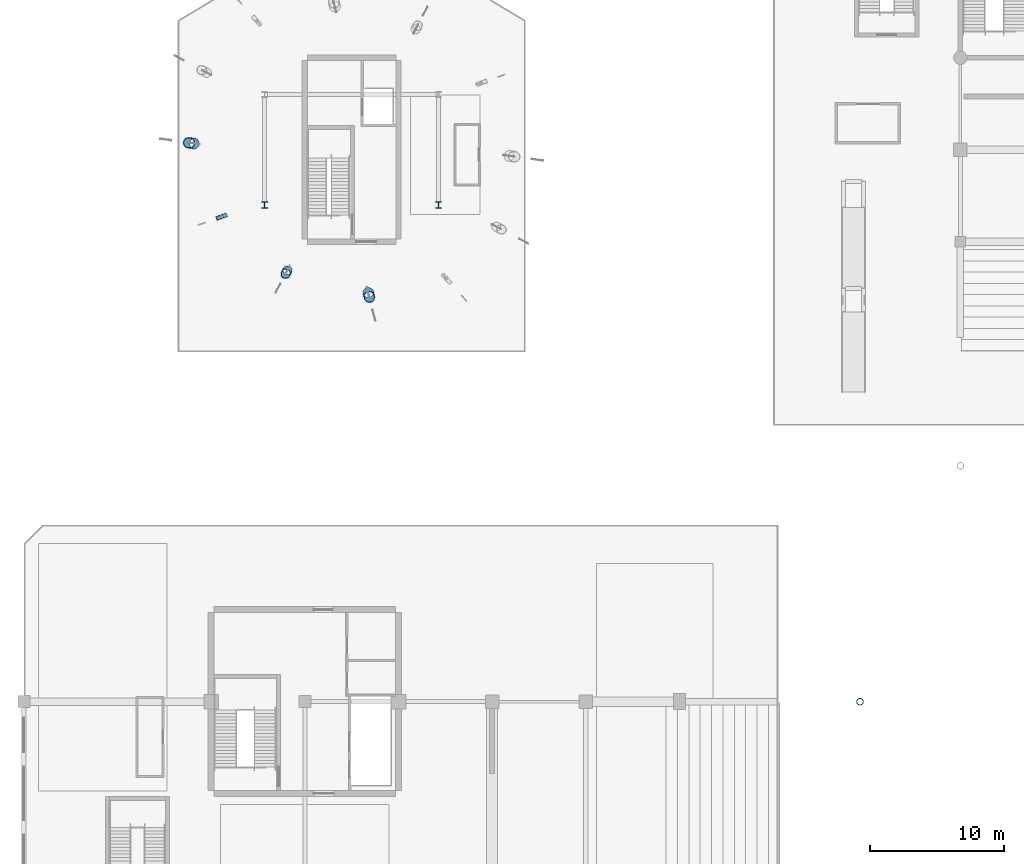
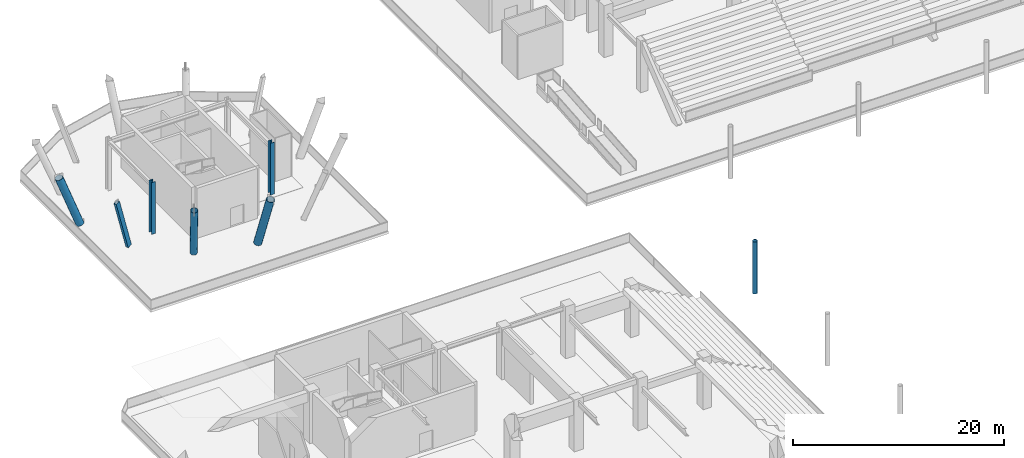
# One storey, part 16 of 73: 7 columns.
"""IFC4 building model written with IfcOpenShell, lengths in metres."""

from ifc_helpers import new_model, si_unit, direction, frame, origin, origin_2d, place, context, subcontext, project, spatial, hollow_rectangle, hollow_circle, i_section, extrude, material, material_profile, profile_set, type_object, element, save


model = new_model("IFC4")

# Units and contexts
model_context = context("Model", 3, precision=1e-05, world=origin(), true_north=direction((0.0, 1.0)))
body_context = subcontext(model_context, "Body", "Model", "MODEL_VIEW")
ifc_project = project(units=[si_unit("LENGTHUNIT", "METRE"), si_unit("AREAUNIT", "SQUARE_METRE"), si_unit("VOLUMEUNIT", "CUBIC_METRE"), si_unit("PLANEANGLEUNIT", "RADIAN"), si_unit("MASSUNIT", "GRAM", prefix="KILO")], contexts=[model_context])

# Site, building, storey
site_placement = place(None, origin())
site = spatial("IfcSite", under=ifc_project, at=site_placement, CompositionType="ELEMENT")
building_placement = place(site_placement, origin())
building = spatial("IfcBuilding", under=site, at=building_placement, Name="Linyun Crest Stadium", CompositionType="ELEMENT")
storey_placement = place(building_placement, origin())
storey = spatial("IfcBuildingStorey", under=building, at=storey_placement, Name="L01", CompositionType="ELEMENT", Elevation=0.0)

# Columns
ifc_material_1 = material(Name="Steel Q420C", Category="steel")
ifc_material_profile_1 = material_profile(ifc_material_1, i_section(OverallWidth=0.431884765625, OverallDepth=0.498046875, WebThickness=0.02392578125, FlangeThickness=0.0380859375, at=origin_2d()), Name="HW 498x432")
ifc_profile_set_1 = profile_set([ifc_material_profile_1], Name="Steel Q420C")
column_type_1 = type_object("IfcColumnType", Name="SC04", PredefinedType="COLUMN", material=ifc_profile_set_1)
for number, where, z_axis, x_axis, name in (
    (1, (-80.0, 80.5, 0.0), (0.0, 0.0, 1.0), (1.0, 0.0, 0.0), "Column SC04 L01 795"),
    (2, (-67.0, 80.5, 0.0), (0.0, 0.0, 1.0), (1.0, 0.0, 0.0), "Column SC04 L01 802"),
):
    element("IfcColumn", number, at=place(storey_placement, frame(where, z_axis=z_axis, x_axis=x_axis)), inside=storey, type_object=column_type_1, Name=name, PredefinedType="COLUMN", context=body_context, shape_type="SweptSolid", body=[
        extrude(i_section(OverallWidth=0.431884765625, OverallDepth=0.498046875, WebThickness=0.02392578125, FlangeThickness=0.0380859375, at=origin_2d()), origin(), (0.0, 0.0, 1.0), 5.998046875),
    ])
ifc_material_2 = material(Name="Steel Q355C", Category="steel")
ifc_material_profile_2 = material_profile(ifc_material_2, hollow_circle(Radius=0.25390625, WallThickness=0.02490234375, at=origin_2d()), Name="CHS 508x25")
ifc_profile_set_2 = profile_set([ifc_material_profile_2], Name="Steel Q355C")
column_type_2 = type_object("IfcColumnType", Name="SC05", PredefinedType="COLUMN", material=ifc_profile_set_2)
column_1_placement = place(storey_placement, frame((-35.5, 43.375, 0.0), z_axis=(0.0, 0.0, 1.0), x_axis=(1.0, 0.0, 0.0)))
element("IfcColumn", 3, at=column_1_placement, inside=storey, type_object=column_type_2, Name="Arch colonnade column SC05 L01 16", PredefinedType="COLUMN", context=body_context, shape_type="SweptSolid", body=[
    extrude(hollow_circle(Radius=0.25390625, WallThickness=0.02490234375, at=origin_2d()), origin(), (0.0, 0.0, 1.0), 6.0),
])
ifc_material_3 = material(Name="Steel Q420C", Category="steel")
ifc_material_profile_3 = material_profile(ifc_material_3, hollow_circle(Radius=0.35546875, WallThickness=0.031982421875, at=origin_2d()), Name="CHS 711x32")
ifc_profile_set_3 = profile_set([ifc_material_profile_3], Name="Steel Q420C")
column_type_3 = type_object("IfcColumnType", Name="VL01", PredefinedType="PILASTER", material=ifc_profile_set_3)
column_2_placement = place(storey_placement, frame((-78.300048828125, 75.59912109375, 0.092041015625), z_axis=(-0.114602751846, -0.215777059527, 0.969694008361), x_axis=(0.883164571949, -0.469063256772, 0.0)))
element("IfcColumn", 4, at=column_2_placement, inside=storey, type_object=column_type_3, Name="Inclined V-leg pier VL01 28", PredefinedType="PILASTER", context=body_context, shape_type="SweptSolid", body=[
    extrude(hollow_circle(Radius=0.35546875, WallThickness=0.031982421875, at=origin_2d()), origin(), (0.0, 0.0, 1.0), 6.090576171875),
])
ifc_material_4 = material(Name="Steel Q420C", Category="steel")
ifc_material_profile_4 = material_profile(ifc_material_4, hollow_circle(Radius=0.406494140625, WallThickness=0.035888671875, at=origin_2d()), Name="CHS 813x36")
ifc_profile_set_4 = profile_set([ifc_material_profile_4], Name="Steel Q420C")
column_type_4 = type_object("IfcColumnType", Name="VL02", PredefinedType="PILASTER", material=ifc_profile_set_4)
column_3_placement = place(storey_placement, frame((-85.27587890625, 85.089111328125, 0.14501953125), z_axis=(-0.340330917323, 0.047163722889, 0.939122169878), x_axis=(-0.137270087643, -0.990533655682, 0.0)))
element("IfcColumn", 5, at=column_3_placement, inside=storey, type_object=column_type_4, Name="Inclined V-leg pier VL02 22", PredefinedType="PILASTER", context=body_context, shape_type="SweptSolid", body=[
    extrude(hollow_circle(Radius=0.406494140625, WallThickness=0.035888671875, at=origin_2d()), origin(), (0.0, 0.0, 1.0), 6.232421875),
])
column_4_placement = place(storey_placement, frame((-72.251953125, 73.927978515625, 0.1201171875), z_axis=(0.069678458112, -0.274132344351, 0.959164412526), x_axis=(0.969182211643, 0.246344962675, 0.0)))
element("IfcColumn", 6, at=column_4_placement, inside=storey, type_object=column_type_4, Name="Inclined V-leg pier VL02 31", PredefinedType="PILASTER", context=body_context, shape_type="SweptSolid", body=[
    extrude(hollow_circle(Radius=0.406494140625, WallThickness=0.035888671875, at=origin_2d()), origin(), (0.0, 0.0, 1.0), 6.128173828125),
])
ifc_material_5 = material(Name="Steel Q420C", Category="steel")
ifc_material_profile_5 = material_profile(ifc_material_5, hollow_rectangle(XDim=0.300048828125, YDim=0.5, WallThickness=0.02001953125, at=origin_2d()), Name="RHS 500x300x20")
ifc_profile_set_5 = profile_set([ifc_material_profile_5], Name="Steel Q420C")
column_type_5 = type_object("IfcColumnType", Name="VL03", PredefinedType="PILASTER", material=ifc_profile_set_5)
column_5_placement = place(storey_placement, frame((-83.053955078125, 79.680908203125, 0.075927734375), z_axis=(-0.26627892052, -0.095218241849, 0.959181433779), x_axis=(0.336708404663, -0.941608968855, 0.0)))
element("IfcColumn", 7, at=column_5_placement, inside=storey, type_object=column_type_5, Name="Inclined V-leg pier VL03 25", PredefinedType="PILASTER", context=body_context, shape_type="SweptSolid", body=[
    extrude(hollow_rectangle(XDim=0.300048828125, YDim=0.5, WallThickness=0.02001953125, at=origin_2d()), origin(), (0.0, 0.0, 1.0), 6.174072265625),
])

save(model, "model.ifc")
